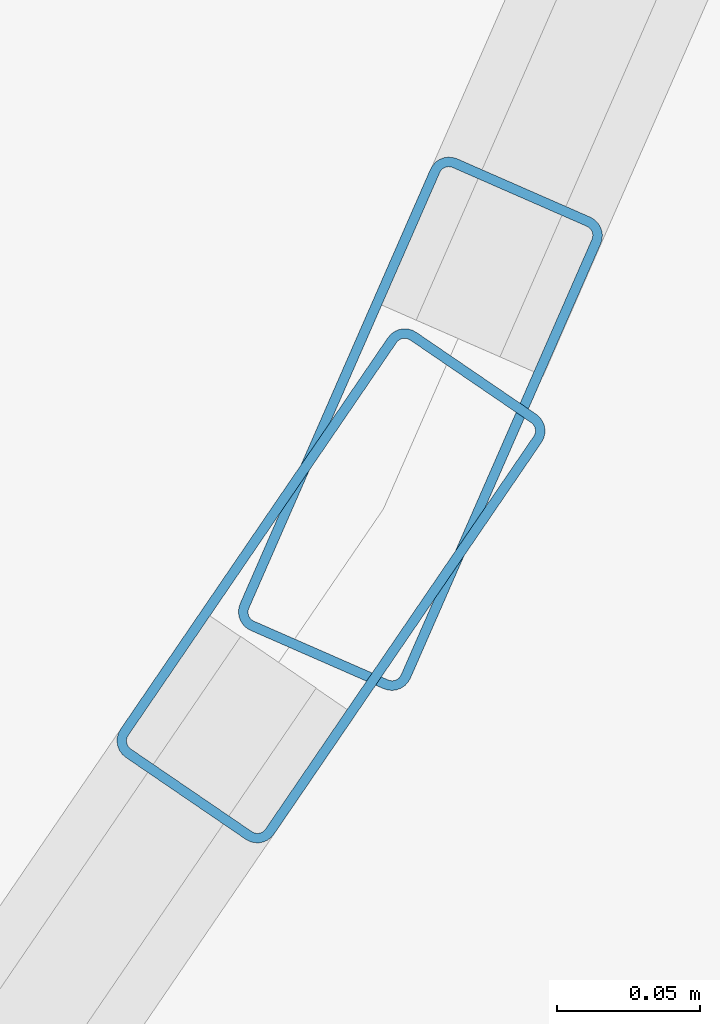
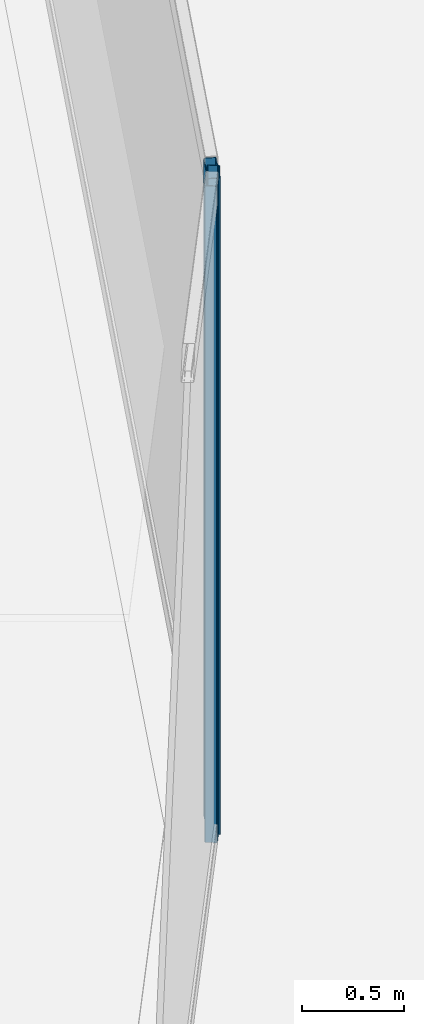
# One storey, part 13 of 52: 2 members, 2 elements without a shape of their own.
"""IFC4 building model written with IfcOpenShell, lengths in metres."""

from ifc_helpers import new_model, si_unit, direction, frame, origin, origin_2d, place, context, subcontext, project, spatial, hollow_rectangle, extrude, material, layer, layer_set, material_profile, profile_set, type_object, element, aggregate, save


model = new_model("IFC4")

# Units and contexts
model_context = context("Model", 3, precision=1e-05, world=origin(), true_north=direction((0.0, 1.0)))
body_context = subcontext(model_context, "Body", "Model", "MODEL_VIEW")
ifc_project = project(units=[si_unit("LENGTHUNIT", "METRE"), si_unit("AREAUNIT", "SQUARE_METRE"), si_unit("VOLUMEUNIT", "CUBIC_METRE"), si_unit("PLANEANGLEUNIT", "RADIAN"), si_unit("MASSUNIT", "GRAM", prefix="KILO")], contexts=[model_context])

# Site, building, storey
site_placement = place(None, origin())
site = spatial("IfcSite", under=ifc_project, at=site_placement, CompositionType="ELEMENT")
building_placement = place(site_placement, origin())
building = spatial("IfcBuilding", under=site, at=building_placement, Name="Qorvath Tower", CompositionType="ELEMENT")
storey_placement = place(building_placement, frame((0.0, 0.0, 61.800048828125)))
storey = spatial("IfcBuildingStorey", under=building, at=storey_placement, Name="L13", CompositionType="ELEMENT", Elevation=61.800048828125)

# Curtain wall, member
ifc_material_1 = material(Name="Anodised aluminium and triple low-E glass", Category="aluminium")
ifc_layer = layer(ifc_material_1, 0.179931640625)
ifc_layer_set = layer_set([ifc_layer], Name="CW-SYS-2")
curtain_wall_type = type_object("IfcCurtainWallType", Name="CW-SYS-2", PredefinedType="NOTDEFINED", material=ifc_layer_set)
curtain_wall_1_placement = place(storey_placement, origin())
curtain_wall_1 = element("IfcCurtainWall", 1, at=curtain_wall_1_placement, inside=storey, type_object=curtain_wall_type, Name="Curtain Wall CW-2 CW-T-L13-5.1", PredefinedType="NOTDEFINED")
ifc_material_2 = material(Name="Anodised aluminium 6063-T6", Category="aluminium")
ifc_material_profile = material_profile(ifc_material_2, hollow_rectangle(XDim=0.06494140625, YDim=0.179931640625, WallThickness=0.00341796875, InnerFilletRadius=0.00341796875, OuterFilletRadius=0.007080078125, at=origin_2d()), Name="CWM 180x65")
ifc_profile_set = profile_set([ifc_material_profile], Name="Anodised aluminium 6063-T6")
member_type = type_object("IfcMemberType", Name="CWM-180", PredefinedType="MULLION", material=ifc_profile_set)
member_1_placement = place(storey_placement, frame((2.104736328125, -19.218994140625, 0.0), z_axis=(0.0, 0.0, 1.0), x_axis=(-0.825808847881, 0.563950127903, 0.0)))
member_1 = element("IfcMember", 2, at=member_1_placement, type_object=member_type, Name="CW-2 mullion 2", PredefinedType="MULLION", context=body_context, shape_type="SweptSolid", body=[
    extrude(hollow_rectangle(XDim=0.06494140625, YDim=0.179931640625, WallThickness=0.00341796875, InnerFilletRadius=0.00341796875, OuterFilletRadius=0.007080078125, at=origin_2d()), origin(), (0.0, 0.0, 1.0), 3.919921875),
])
aggregate(curtain_wall_1, [member_1])

curtain_wall_2_placement = place(storey_placement, origin())
curtain_wall_2 = element("IfcCurtainWall", 3, at=curtain_wall_2_placement, inside=storey, type_object=curtain_wall_type, Name="Curtain Wall CW-2 CW-T-L13-6.1", PredefinedType="NOTDEFINED")
member_2_placement = place(storey_placement, frame((2.135986328125, -19.162353515625, 0.0), z_axis=(0.0, 0.0, 1.0), x_axis=(-0.915962762712, 0.40126327682, 0.0)))
member_2 = element("IfcMember", 4, at=member_2_placement, type_object=member_type, Name="CW-2 mullion 1", PredefinedType="MULLION", context=body_context, shape_type="SweptSolid", body=[
    extrude(hollow_rectangle(XDim=0.06494140625, YDim=0.179931640625, WallThickness=0.00341796875, InnerFilletRadius=0.00341796875, OuterFilletRadius=0.007080078125, at=origin_2d()), origin(), (0.0, 0.0, 1.0), 3.919921875),
])
aggregate(curtain_wall_2, [member_2])

save(model, "model.ifc")
